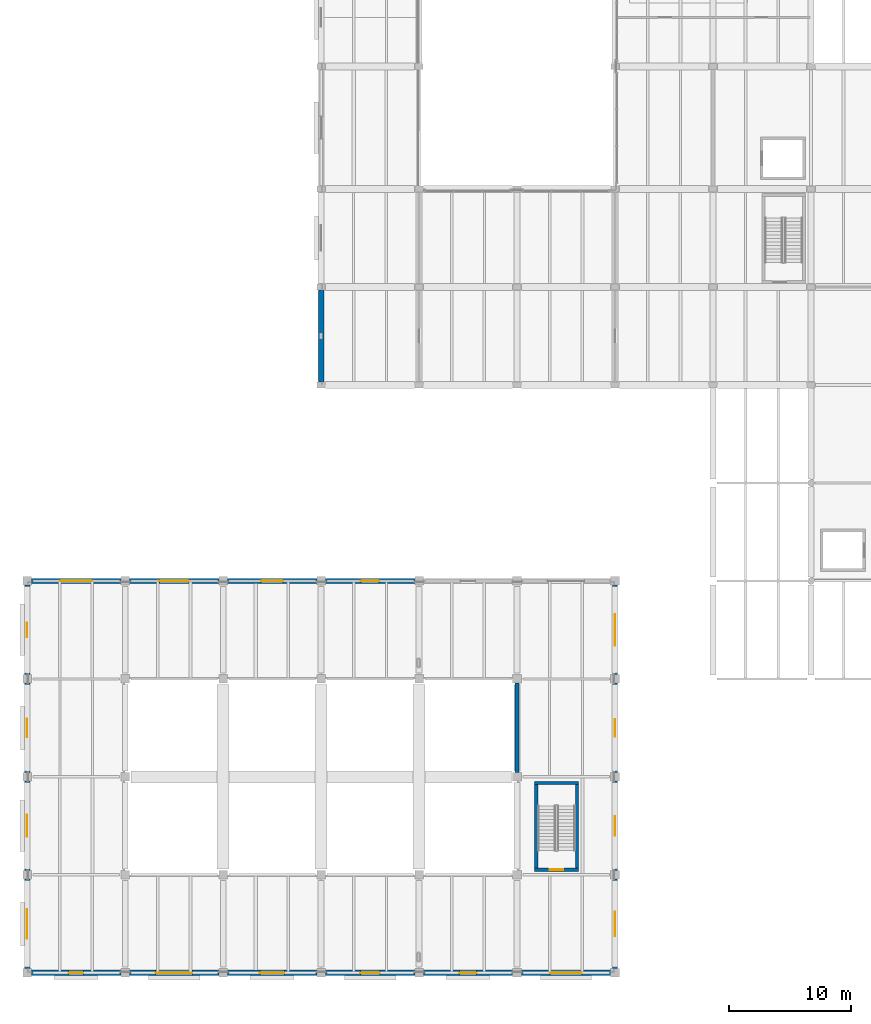
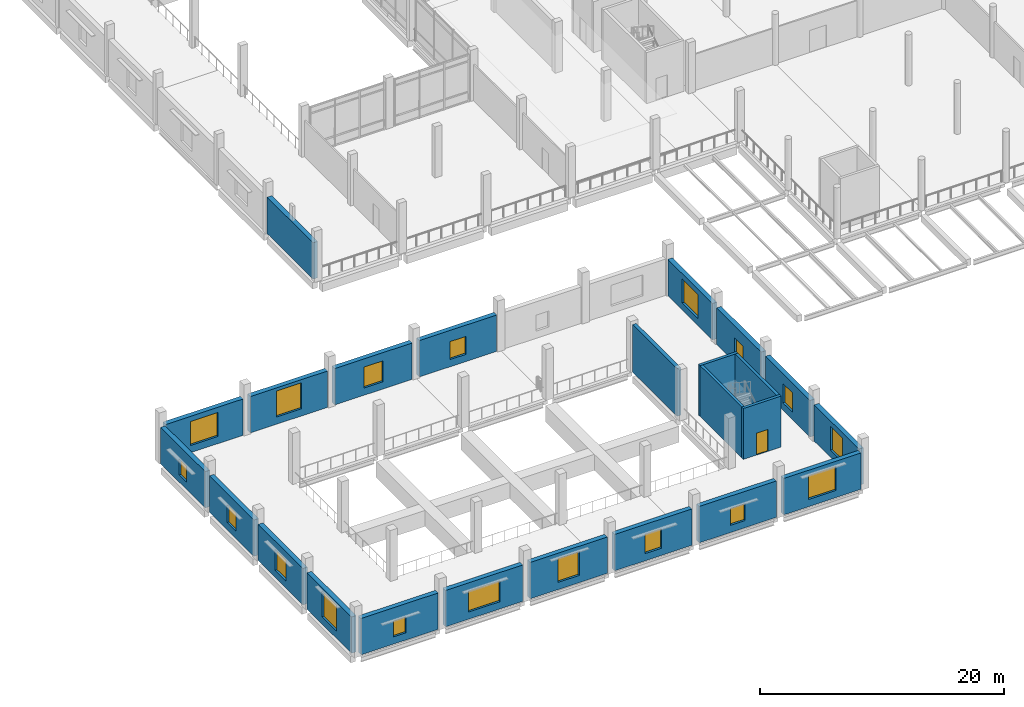
# One storey, part 32 of 61: 24 walls, 18 windows, 1 door, 19 openings.
"""IFC4 building model written with IfcOpenShell, lengths in metres."""

from ifc_helpers import new_model, si_unit, direction, frame, frame_2d, origin, place, context, subcontext, project, spatial, rectangle, extrude, material, layer, layer_set, type_object, element, fill, save


model = new_model("IFC4")

# Units and contexts
model_context = context("Model", 3, precision=1e-05, world=origin(), true_north=direction((0.0, 1.0)))
body_context = subcontext(model_context, "Body", "Model", "MODEL_VIEW")
ifc_project = project(units=[si_unit("LENGTHUNIT", "METRE"), si_unit("AREAUNIT", "SQUARE_METRE"), si_unit("VOLUMEUNIT", "CUBIC_METRE"), si_unit("PLANEANGLEUNIT", "RADIAN"), si_unit("MASSUNIT", "GRAM", prefix="KILO")], contexts=[model_context])

# Site, building, storey
site_placement = place(None, origin())
site = spatial("IfcSite", under=ifc_project, at=site_placement, CompositionType="ELEMENT")
building_placement = place(site_placement, origin())
building = spatial("IfcBuilding", under=site, at=building_placement, Name="Pecanmere Concourse Central Library", CompositionType="ELEMENT")
storey_placement = place(building_placement, frame((0.0, 0.0, 5.39990234375)))
storey = spatial("IfcBuildingStorey", under=building, at=storey_placement, Name="L02", CompositionType="ELEMENT", Elevation=5.39990234375)

# Wall, opening, window
ifc_material_1 = material(Name="Texas cream limestone ashlar masonry", Category="masonry")
ifc_layer_1 = layer(ifc_material_1, 0.43994140625, Name="EW_LIME_440")
ifc_layer_set_1 = layer_set([ifc_layer_1], Name="Texas cream limestone ashlar masonry")
wall_type_1 = type_object("IfcWallType", Name="EW_LIME_440", PredefinedType="STANDARD", material=ifc_layer_set_1)
wall_1_placement = place(storey_placement, frame((0.344970703125, 0.0, 0.0), z_axis=(0.0, 0.0, 1.0), x_axis=(1.0, 0.0, 0.0)))
wall_1 = element("IfcWall", 1, at=wall_1_placement, inside=storey, type_object=wall_type_1, Name="Limestone Facade Wall L02-0050", PredefinedType="STANDARD", context=body_context, shape_type="SweptSolid", body=[
    extrude(rectangle(XDim=7.31005859375, YDim=0.43994140625, at=frame_2d((3.655029296875, 0.0))), origin(), (0.0, 0.0, 1.0), 3.64013671875),
])
opening_1_placement = place(wall_1_placement, frame((3.054931640625, 0.0, 0.719970703125)))
opening_1 = element("IfcOpeningElement", 2, at=opening_1_placement, cuts=wall_1, Name="Opening WN-13", PredefinedType="OPENING", context=body_context, shape_type="SweptSolid", body=[
    extrude(rectangle(XDim=1.199951171875, YDim=1.60009765625, at=frame_2d((0.60009765625, 0.800048828125))), frame((0.0, 0.23193359375, 0.0), z_axis=(0.0, -1.0, 0.0), x_axis=(1.0, 0.0, 0.0)), (0.0, 0.0, 1.0), 0.4638671875),
])
ifc_material_2 = material(Name="Low-iron clear insulated glazing", Category="glass")
window_type_1 = type_object("IfcWindowType", Name="WIN_1200x1600", PartitioningType="SINGLE_PANEL", PredefinedType="WINDOW", material=ifc_material_2)
window_1_placement = place(opening_1_placement, origin())
window_1 = element("IfcWindow", 3, at=window_1_placement, inside=storey, type_object=window_type_1, Name="WN-035", OverallHeight=1.60009765625, OverallWidth=1.199951171875, PartitioningType="SINGLE_PANEL", PredefinedType="WINDOW", context=body_context, shape_type="SweptSolid", body=[
    extrude(rectangle(XDim=1.199951171875, YDim=1.60009765625, at=frame_2d((0.60009765625, 0.800048828125))), frame((0.0, 0.030029296875, 0.0), z_axis=(0.0, -1.0, 0.0), x_axis=(1.0, 0.0, 0.0)), (0.0, 0.0, 1.0), 0.06005859375),
])
fill(opening_1, window_1)

wall_2_placement = place(storey_placement, frame((7.655029296875, 32.0, 0.0), z_axis=(0.0, 0.0, 1.0), x_axis=(-1.0, 0.0, 0.0)))
wall_2 = element("IfcWall", 4, at=wall_2_placement, inside=storey, type_object=wall_type_1, Name="Limestone Facade Wall L02-0051", PredefinedType="STANDARD", context=body_context, shape_type="SweptSolid", body=[
    extrude(rectangle(XDim=7.31005859375, YDim=0.43994140625, at=frame_2d((3.655029296875, 0.0))), origin(), (0.0, 0.0, 1.0), 3.64013671875),
])
opening_2_placement = place(wall_2_placement, frame((2.35498046875, 0.0, 0.719970703125)))
opening_2 = element("IfcOpeningElement", 5, at=opening_2_placement, cuts=wall_2, Name="Opening WN-15", PredefinedType="OPENING", context=body_context, shape_type="SweptSolid", body=[
    extrude(rectangle(XDim=2.60009765625, YDim=2.39990234375, at=frame_2d((1.300048828125, 1.199951171875))), frame((0.0, 0.23193359375, 0.0), z_axis=(0.0, -1.0, 0.0), x_axis=(1.0, 0.0, 0.0)), (0.0, 0.0, 1.0), 0.4638671875),
])
ifc_material_3 = material(Name="Low-iron clear insulated glazing", Category="glass")
window_type_2 = type_object("IfcWindowType", Name="WIN_2600x2400", PartitioningType="SINGLE_PANEL", PredefinedType="WINDOW", material=ifc_material_3)
window_2_placement = place(opening_2_placement, origin())
window_2 = element("IfcWindow", 6, at=window_2_placement, inside=storey, type_object=window_type_2, Name="WN-036", OverallHeight=2.39990234375, OverallWidth=2.60009765625, PartitioningType="SINGLE_PANEL", PredefinedType="WINDOW", context=body_context, shape_type="SweptSolid", body=[
    extrude(rectangle(XDim=2.60009765625, YDim=2.39990234375, at=frame_2d((1.300048828125, 1.199951171875))), frame((0.0, 0.030029296875, 0.0), z_axis=(0.0, -1.0, 0.0), x_axis=(1.0, 0.0, 0.0)), (0.0, 0.0, 1.0), 0.06005859375),
])
fill(opening_2, window_2)

wall_3_placement = place(storey_placement, frame((8.344970703125, 0.0, 0.0), z_axis=(0.0, 0.0, 1.0), x_axis=(1.0, 0.0, 0.0)))
wall_3 = element("IfcWall", 7, at=wall_3_placement, inside=storey, type_object=wall_type_1, Name="Limestone Facade Wall L02-0052", PredefinedType="STANDARD", context=body_context, shape_type="SweptSolid", body=[
    extrude(rectangle(XDim=7.31005859375, YDim=0.43994140625, at=frame_2d((3.655029296875, 0.0))), origin(), (0.0, 0.0, 1.0), 3.64013671875),
])
opening_3_placement = place(wall_3_placement, frame((2.155029296875, 0.0, 0.719970703125)))
opening_3 = element("IfcOpeningElement", 8, at=opening_3_placement, cuts=wall_3, Name="Opening WN-17", PredefinedType="OPENING", context=body_context, shape_type="SweptSolid", body=[
    extrude(rectangle(XDim=3.0, YDim=2.10009765625, at=frame_2d((1.5, 1.050048828125))), frame((0.0, 0.23193359375, 0.0), z_axis=(0.0, -1.0, 0.0), x_axis=(1.0, 0.0, 0.0)), (0.0, 0.0, 1.0), 0.4638671875),
])
ifc_material_4 = material(Name="Low-iron clear insulated glazing", Category="glass")
window_type_3 = type_object("IfcWindowType", Name="WIN_3000x2100", PartitioningType="SINGLE_PANEL", PredefinedType="WINDOW", material=ifc_material_4)
window_3_placement = place(opening_3_placement, origin())
window_3 = element("IfcWindow", 9, at=window_3_placement, inside=storey, type_object=window_type_3, Name="WN-037", OverallHeight=2.10009765625, OverallWidth=3.0, PartitioningType="SINGLE_PANEL", PredefinedType="WINDOW", context=body_context, shape_type="SweptSolid", body=[
    extrude(rectangle(XDim=3.0, YDim=2.10009765625, at=frame_2d((1.5, 1.050048828125))), frame((0.0, 0.030029296875, 0.0), z_axis=(0.0, -1.0, 0.0), x_axis=(1.0, 0.0, 0.0)), (0.0, 0.0, 1.0), 0.06005859375),
])
fill(opening_3, window_3)

wall_4_placement = place(storey_placement, frame((15.655029296875, 32.0, 0.0), z_axis=(0.0, 0.0, 1.0), x_axis=(-1.0, 0.0, 0.0)))
wall_4 = element("IfcWall", 10, at=wall_4_placement, inside=storey, type_object=wall_type_1, Name="Limestone Facade Wall L02-0053", PredefinedType="STANDARD", context=body_context, shape_type="SweptSolid", body=[
    extrude(rectangle(XDim=7.31005859375, YDim=0.43994140625, at=frame_2d((3.655029296875, 0.0))), origin(), (0.0, 0.0, 1.0), 3.64013671875),
])
opening_4_placement = place(wall_4_placement, frame((2.455078125, 0.0, 0.719970703125)))
opening_4 = element("IfcOpeningElement", 11, at=opening_4_placement, cuts=wall_4, Name="Opening WN-01", PredefinedType="OPENING", context=body_context, shape_type="SweptSolid", body=[
    extrude(rectangle(XDim=2.39990234375, YDim=2.60009765625, at=frame_2d((1.199951171875, 1.300048828125))), frame((0.0, 0.23193359375, 0.0), z_axis=(0.0, -1.0, 0.0), x_axis=(1.0, 0.0, 0.0)), (0.0, 0.0, 1.0), 0.4638671875),
])
ifc_material_5 = material(Name="Low-iron clear insulated glazing", Category="glass")
window_type_4 = type_object("IfcWindowType", Name="WIN_2400x2600", PartitioningType="SINGLE_PANEL", PredefinedType="WINDOW", material=ifc_material_5)
window_4_placement = place(opening_4_placement, origin())
window_4 = element("IfcWindow", 12, at=window_4_placement, inside=storey, type_object=window_type_4, Name="WN-038", OverallHeight=2.60009765625, OverallWidth=2.39990234375, PartitioningType="SINGLE_PANEL", PredefinedType="WINDOW", context=body_context, shape_type="SweptSolid", body=[
    extrude(rectangle(XDim=2.39990234375, YDim=2.60009765625, at=frame_2d((1.199951171875, 1.300048828125))), frame((0.0, 0.030029296875, 0.0), z_axis=(0.0, -1.0, 0.0), x_axis=(1.0, 0.0, 0.0)), (0.0, 0.0, 1.0), 0.06005859375),
])
fill(opening_4, window_4)

wall_5_placement = place(storey_placement, frame((16.344970703125, 0.0, 0.0), z_axis=(0.0, 0.0, 1.0), x_axis=(1.0, 0.0, 0.0)))
wall_5 = element("IfcWall", 13, at=wall_5_placement, inside=storey, type_object=wall_type_1, Name="Limestone Facade Wall L02-0054", PredefinedType="STANDARD", context=body_context, shape_type="SweptSolid", body=[
    extrude(rectangle(XDim=7.31005859375, YDim=0.43994140625, at=frame_2d((3.655029296875, 0.0))), origin(), (0.0, 0.0, 1.0), 3.64013671875),
])
opening_5_placement = place(wall_5_placement, frame((2.655029296875, 0.0, 0.719970703125)))
opening_5 = element("IfcOpeningElement", 14, at=opening_5_placement, cuts=wall_5, Name="Opening WN-03", PredefinedType="OPENING", context=body_context, shape_type="SweptSolid", body=[
    extrude(rectangle(XDim=2.0, YDim=2.39990234375, at=frame_2d((1.0, 1.199951171875))), frame((0.0, 0.23193359375, 0.0), z_axis=(0.0, -1.0, 0.0), x_axis=(1.0, 0.0, 0.0)), (0.0, 0.0, 1.0), 0.4638671875),
])
ifc_material_6 = material(Name="Low-iron clear insulated glazing", Category="glass")
window_type_5 = type_object("IfcWindowType", Name="WIN_2000x2400", PartitioningType="SINGLE_PANEL", PredefinedType="WINDOW", material=ifc_material_6)
window_5_placement = place(opening_5_placement, origin())
window_5 = element("IfcWindow", 15, at=window_5_placement, inside=storey, type_object=window_type_5, Name="WN-039", OverallHeight=2.39990234375, OverallWidth=2.0, PartitioningType="SINGLE_PANEL", PredefinedType="WINDOW", context=body_context, shape_type="SweptSolid", body=[
    extrude(rectangle(XDim=2.0, YDim=2.39990234375, at=frame_2d((1.0, 1.199951171875))), frame((0.0, 0.030029296875, 0.0), z_axis=(0.0, -1.0, 0.0), x_axis=(1.0, 0.0, 0.0)), (0.0, 0.0, 1.0), 0.06005859375),
])
fill(opening_5, window_5)

wall_6_placement = place(storey_placement, frame((23.655029296875, 32.0, 0.0), z_axis=(0.0, 0.0, 1.0), x_axis=(-1.0, 0.0, 0.0)))
wall_6 = element("IfcWall", 16, at=wall_6_placement, inside=storey, type_object=wall_type_1, Name="Limestone Facade Wall L02-0055", PredefinedType="STANDARD", context=body_context, shape_type="SweptSolid", body=[
    extrude(rectangle(XDim=7.31005859375, YDim=0.43994140625, at=frame_2d((3.655029296875, 0.0))), origin(), (0.0, 0.0, 1.0), 3.64013671875),
])
opening_6_placement = place(wall_6_placement, frame((2.7548828125, 0.0, 0.719970703125)))
opening_6 = element("IfcOpeningElement", 17, at=opening_6_placement, cuts=wall_6, Name="Opening WN-05", PredefinedType="OPENING", context=body_context, shape_type="SweptSolid", body=[
    extrude(rectangle(XDim=1.800048828125, YDim=2.10009765625, at=frame_2d((0.89990234375, 1.050048828125))), frame((0.0, 0.23193359375, 0.0), z_axis=(0.0, -1.0, 0.0), x_axis=(1.0, 0.0, 0.0)), (0.0, 0.0, 1.0), 0.4638671875),
])
ifc_material_7 = material(Name="Low-iron clear insulated glazing", Category="glass")
window_type_6 = type_object("IfcWindowType", Name="WIN_1800x2100", PartitioningType="SINGLE_PANEL", PredefinedType="WINDOW", material=ifc_material_7)
window_6_placement = place(opening_6_placement, origin())
window_6 = element("IfcWindow", 18, at=window_6_placement, inside=storey, type_object=window_type_6, Name="WN-040", OverallHeight=2.10009765625, OverallWidth=1.800048828125, PartitioningType="SINGLE_PANEL", PredefinedType="WINDOW", context=body_context, shape_type="SweptSolid", body=[
    extrude(rectangle(XDim=1.800048828125, YDim=2.10009765625, at=frame_2d((0.89990234375, 1.050048828125))), frame((0.0, 0.030029296875, 0.0), z_axis=(0.0, -1.0, 0.0), x_axis=(1.0, 0.0, 0.0)), (0.0, 0.0, 1.0), 0.06005859375),
])
fill(opening_6, window_6)

wall_7_placement = place(storey_placement, frame((24.344970703125, 0.0, 0.0), z_axis=(0.0, 0.0, 1.0), x_axis=(1.0, 0.0, 0.0)))
wall_7 = element("IfcWall", 19, at=wall_7_placement, inside=storey, type_object=wall_type_1, Name="Limestone Facade Wall L02-0056", PredefinedType="STANDARD", context=body_context, shape_type="SweptSolid", body=[
    extrude(rectangle(XDim=7.31005859375, YDim=0.43994140625, at=frame_2d((3.655029296875, 0.0))), origin(), (0.0, 0.0, 1.0), 3.64013671875),
])
opening_7_placement = place(wall_7_placement, frame((2.85498046875, 0.0, 0.719970703125)))
opening_7 = element("IfcOpeningElement", 20, at=opening_7_placement, cuts=wall_7, Name="Opening WN-07", PredefinedType="OPENING", context=body_context, shape_type="SweptSolid", body=[
    extrude(rectangle(XDim=1.60009765625, YDim=1.949951171875, at=frame_2d((0.800048828125, 0.97509765625))), frame((0.0, 0.23193359375, 0.0), z_axis=(0.0, -1.0, 0.0), x_axis=(1.0, 0.0, 0.0)), (0.0, 0.0, 1.0), 0.4638671875),
])
ifc_material_8 = material(Name="Low-iron clear insulated glazing", Category="glass")
window_type_7 = type_object("IfcWindowType", Name="WIN_1600x1950", PartitioningType="SINGLE_PANEL", PredefinedType="WINDOW", material=ifc_material_8)
window_7_placement = place(opening_7_placement, origin())
window_7 = element("IfcWindow", 21, at=window_7_placement, inside=storey, type_object=window_type_7, Name="WN-041", OverallHeight=1.949951171875, OverallWidth=1.60009765625, PartitioningType="SINGLE_PANEL", PredefinedType="WINDOW", context=body_context, shape_type="SweptSolid", body=[
    extrude(rectangle(XDim=1.60009765625, YDim=1.949951171875, at=frame_2d((0.800048828125, 0.97509765625))), frame((0.0, 0.030029296875, 0.0), z_axis=(0.0, -1.0, 0.0), x_axis=(1.0, 0.0, 0.0)), (0.0, 0.0, 1.0), 0.06005859375),
])
fill(opening_7, window_7)

wall_8_placement = place(storey_placement, frame((31.655029296875, 32.0, 0.0), z_axis=(0.0, 0.0, 1.0), x_axis=(-1.0, 0.0, 0.0)))
wall_8 = element("IfcWall", 22, at=wall_8_placement, inside=storey, type_object=wall_type_1, Name="Limestone Facade Wall L02-0057", PredefinedType="STANDARD", context=body_context, shape_type="SweptSolid", body=[
    extrude(rectangle(XDim=7.31005859375, YDim=0.43994140625, at=frame_2d((3.655029296875, 0.0))), origin(), (0.0, 0.0, 1.0), 3.64013671875),
])
opening_8_placement = place(wall_8_placement, frame((2.905029296875, 0.0, 0.719970703125)))
opening_8 = element("IfcOpeningElement", 23, at=opening_8_placement, cuts=wall_8, Name="Opening WN-09", PredefinedType="OPENING", context=body_context, shape_type="SweptSolid", body=[
    extrude(rectangle(XDim=1.5, YDim=1.800048828125, at=frame_2d((0.75, 0.89990234375))), frame((0.0, 0.23193359375, 0.0), z_axis=(0.0, -1.0, 0.0), x_axis=(1.0, 0.0, 0.0)), (0.0, 0.0, 1.0), 0.4638671875),
])
ifc_material_9 = material(Name="Low-iron clear insulated glazing", Category="glass")
window_type_8 = type_object("IfcWindowType", Name="WIN_1500x1800", PartitioningType="SINGLE_PANEL", PredefinedType="WINDOW", material=ifc_material_9)
window_8_placement = place(opening_8_placement, origin())
window_8 = element("IfcWindow", 24, at=window_8_placement, inside=storey, type_object=window_type_8, Name="WN-042", OverallHeight=1.800048828125, OverallWidth=1.5, PartitioningType="SINGLE_PANEL", PredefinedType="WINDOW", context=body_context, shape_type="SweptSolid", body=[
    extrude(rectangle(XDim=1.5, YDim=1.800048828125, at=frame_2d((0.75, 0.89990234375))), frame((0.0, 0.030029296875, 0.0), z_axis=(0.0, -1.0, 0.0), x_axis=(1.0, 0.0, 0.0)), (0.0, 0.0, 1.0), 0.06005859375),
])
fill(opening_8, window_8)

wall_9_placement = place(storey_placement, frame((32.344970703125, 0.0, 0.0), z_axis=(0.0, 0.0, 1.0), x_axis=(1.0, 0.0, 0.0)))
wall_9 = element("IfcWall", 25, at=wall_9_placement, inside=storey, type_object=wall_type_1, Name="Limestone Facade Wall L02-0058", PredefinedType="STANDARD", context=body_context, shape_type="SweptSolid", body=[
    extrude(rectangle(XDim=7.31005859375, YDim=0.43994140625, at=frame_2d((3.655029296875, 0.0))), origin(), (0.0, 0.0, 1.0), 3.64013671875),
])
opening_9_placement = place(wall_9_placement, frame((2.955078125, 0.0, 0.719970703125)))
opening_9 = element("IfcOpeningElement", 26, at=opening_9_placement, cuts=wall_9, Name="Opening WN-11", PredefinedType="OPENING", context=body_context, shape_type="SweptSolid", body=[
    extrude(rectangle(XDim=1.39990234375, YDim=1.699951171875, at=frame_2d((0.699951171875, 0.85009765625))), frame((0.0, 0.23193359375, 0.0), z_axis=(0.0, -1.0, 0.0), x_axis=(1.0, 0.0, 0.0)), (0.0, 0.0, 1.0), 0.4638671875),
])
ifc_material_10 = material(Name="Low-iron clear insulated glazing", Category="glass")
window_type_9 = type_object("IfcWindowType", Name="WIN_1400x1700", PartitioningType="SINGLE_PANEL", PredefinedType="WINDOW", material=ifc_material_10)
window_9_placement = place(opening_9_placement, origin())
window_9 = element("IfcWindow", 27, at=window_9_placement, inside=storey, type_object=window_type_9, Name="WN-043", OverallHeight=1.699951171875, OverallWidth=1.39990234375, PartitioningType="SINGLE_PANEL", PredefinedType="WINDOW", context=body_context, shape_type="SweptSolid", body=[
    extrude(rectangle(XDim=1.39990234375, YDim=1.699951171875, at=frame_2d((0.699951171875, 0.85009765625))), frame((0.0, 0.030029296875, 0.0), z_axis=(0.0, -1.0, 0.0), x_axis=(1.0, 0.0, 0.0)), (0.0, 0.0, 1.0), 0.06005859375),
])
fill(opening_9, window_9)

wall_10_placement = place(storey_placement, frame((40.344970703125, 0.0, 0.0), z_axis=(0.0, 0.0, 1.0), x_axis=(1.0, 0.0, 0.0)))
wall_10 = element("IfcWall", 28, at=wall_10_placement, inside=storey, type_object=wall_type_1, Name="Limestone Facade Wall L02-0060", PredefinedType="STANDARD", context=body_context, shape_type="SweptSolid", body=[
    extrude(rectangle(XDim=7.31005859375, YDim=0.43994140625, at=frame_2d((3.655029296875, 0.0))), origin(), (0.0, 0.0, 1.0), 3.64013671875),
])
opening_10_placement = place(wall_10_placement, frame((2.35498046875, 0.0, 0.719970703125)))
opening_10 = element("IfcOpeningElement", 29, at=opening_10_placement, cuts=wall_10, Name="Opening WN-15", PredefinedType="OPENING", context=body_context, shape_type="SweptSolid", body=[
    extrude(rectangle(XDim=2.60009765625, YDim=2.39990234375, at=frame_2d((1.300048828125, 1.199951171875))), frame((0.0, 0.23193359375, 0.0), z_axis=(0.0, -1.0, 0.0), x_axis=(1.0, 0.0, 0.0)), (0.0, 0.0, 1.0), 0.4638671875),
])
window_10_placement = place(opening_10_placement, origin())
window_10 = element("IfcWindow", 30, at=window_10_placement, inside=storey, type_object=window_type_2, Name="WN-045", OverallHeight=2.39990234375, OverallWidth=2.60009765625, PartitioningType="SINGLE_PANEL", PredefinedType="WINDOW", context=body_context, shape_type="SweptSolid", body=[
    extrude(rectangle(XDim=2.60009765625, YDim=2.39990234375, at=frame_2d((1.300048828125, 1.199951171875))), frame((0.0, 0.030029296875, 0.0), z_axis=(0.0, -1.0, 0.0), x_axis=(1.0, 0.0, 0.0)), (0.0, 0.0, 1.0), 0.06005859375),
])
fill(opening_10, window_10)

wall_11_placement = place(storey_placement, frame((0.0, 7.655029296875, 0.0), z_axis=(0.0, 0.0, 1.0), x_axis=(0.0, -1.0, 0.0)))
wall_11 = element("IfcWall", 31, at=wall_11_placement, inside=storey, type_object=wall_type_1, Name="Limestone Facade Wall L02-0062", PredefinedType="STANDARD", context=body_context, shape_type="SweptSolid", body=[
    extrude(rectangle(XDim=7.31005859375, YDim=0.43994140625, at=frame_2d((3.655029296875, 0.0))), origin(), (0.0, 0.0, 1.0), 3.64013671875),
])
opening_11_placement = place(wall_11_placement, frame((2.455078125, 0.0, 0.719970703125)))
opening_11 = element("IfcOpeningElement", 32, at=opening_11_placement, cuts=wall_11, Name="Opening WN-01", PredefinedType="OPENING", context=body_context, shape_type="SweptSolid", body=[
    extrude(rectangle(XDim=2.39990234375, YDim=2.60009765625, at=frame_2d((1.199951171875, 1.300048828125))), frame((0.0, 0.23193359375, 0.0), z_axis=(0.0, -1.0, 0.0), x_axis=(1.0, 0.0, 0.0)), (0.0, 0.0, 1.0), 0.4638671875),
])
window_11_placement = place(opening_11_placement, origin())
window_11 = element("IfcWindow", 33, at=window_11_placement, inside=storey, type_object=window_type_4, Name="WN-047", OverallHeight=2.60009765625, OverallWidth=2.39990234375, PartitioningType="SINGLE_PANEL", PredefinedType="WINDOW", context=body_context, shape_type="SweptSolid", body=[
    extrude(rectangle(XDim=2.39990234375, YDim=2.60009765625, at=frame_2d((1.199951171875, 1.300048828125))), frame((0.0, 0.030029296875, 0.0), z_axis=(0.0, -1.0, 0.0), x_axis=(1.0, 0.0, 0.0)), (0.0, 0.0, 1.0), 0.06005859375),
])
fill(opening_11, window_11)

wall_12_placement = place(storey_placement, frame((48.0, 0.344970703125, 0.0), z_axis=(0.0, 0.0, 1.0), x_axis=(0.0, 1.0, 0.0)))
wall_12 = element("IfcWall", 34, at=wall_12_placement, inside=storey, type_object=wall_type_1, Name="Limestone Facade Wall L02-0063", PredefinedType="STANDARD", context=body_context, shape_type="SweptSolid", body=[
    extrude(rectangle(XDim=7.31005859375, YDim=0.43994140625, at=frame_2d((3.655029296875, 0.0))), origin(), (0.0, 0.0, 1.0), 3.64013671875),
])
opening_12_placement = place(wall_12_placement, frame((2.655029296875, 0.0, 0.719970703125)))
opening_12 = element("IfcOpeningElement", 35, at=opening_12_placement, cuts=wall_12, Name="Opening WN-03", PredefinedType="OPENING", context=body_context, shape_type="SweptSolid", body=[
    extrude(rectangle(XDim=2.0, YDim=2.39990234375, at=frame_2d((1.0, 1.199951171875))), frame((0.0, 0.23193359375, 0.0), z_axis=(0.0, -1.0, 0.0), x_axis=(1.0, 0.0, 0.0)), (0.0, 0.0, 1.0), 0.4638671875),
])
window_12_placement = place(opening_12_placement, origin())
window_12 = element("IfcWindow", 36, at=window_12_placement, inside=storey, type_object=window_type_5, Name="WN-048", OverallHeight=2.39990234375, OverallWidth=2.0, PartitioningType="SINGLE_PANEL", PredefinedType="WINDOW", context=body_context, shape_type="SweptSolid", body=[
    extrude(rectangle(XDim=2.0, YDim=2.39990234375, at=frame_2d((1.0, 1.199951171875))), frame((0.0, 0.030029296875, 0.0), z_axis=(0.0, -1.0, 0.0), x_axis=(1.0, 0.0, 0.0)), (0.0, 0.0, 1.0), 0.06005859375),
])
fill(opening_12, window_12)

wall_13_placement = place(storey_placement, frame((0.0, 15.655029296875, 0.0), z_axis=(0.0, 0.0, 1.0), x_axis=(0.0, -1.0, 0.0)))
wall_13 = element("IfcWall", 37, at=wall_13_placement, inside=storey, type_object=wall_type_1, Name="Limestone Facade Wall L02-0064", PredefinedType="STANDARD", context=body_context, shape_type="SweptSolid", body=[
    extrude(rectangle(XDim=7.31005859375, YDim=0.43994140625, at=frame_2d((3.655029296875, 0.0))), origin(), (0.0, 0.0, 1.0), 3.64013671875),
])
opening_13_placement = place(wall_13_placement, frame((2.7548828125, 0.0, 0.719970703125)))
opening_13 = element("IfcOpeningElement", 38, at=opening_13_placement, cuts=wall_13, Name="Opening WN-05", PredefinedType="OPENING", context=body_context, shape_type="SweptSolid", body=[
    extrude(rectangle(XDim=1.800048828125, YDim=2.10009765625, at=frame_2d((0.89990234375, 1.050048828125))), frame((0.0, 0.23193359375, 0.0), z_axis=(0.0, -1.0, 0.0), x_axis=(1.0, 0.0, 0.0)), (0.0, 0.0, 1.0), 0.4638671875),
])
window_13_placement = place(opening_13_placement, origin())
window_13 = element("IfcWindow", 39, at=window_13_placement, inside=storey, type_object=window_type_6, Name="WN-049", OverallHeight=2.10009765625, OverallWidth=1.800048828125, PartitioningType="SINGLE_PANEL", PredefinedType="WINDOW", context=body_context, shape_type="SweptSolid", body=[
    extrude(rectangle(XDim=1.800048828125, YDim=2.10009765625, at=frame_2d((0.89990234375, 1.050048828125))), frame((0.0, 0.030029296875, 0.0), z_axis=(0.0, -1.0, 0.0), x_axis=(1.0, 0.0, 0.0)), (0.0, 0.0, 1.0), 0.06005859375),
])
fill(opening_13, window_13)

wall_14_placement = place(storey_placement, frame((48.0, 8.344970703125, 0.0), z_axis=(0.0, 0.0, 1.0), x_axis=(0.0, 1.0, 0.0)))
wall_14 = element("IfcWall", 40, at=wall_14_placement, inside=storey, type_object=wall_type_1, Name="Limestone Facade Wall L02-0065", PredefinedType="STANDARD", context=body_context, shape_type="SweptSolid", body=[
    extrude(rectangle(XDim=7.31005859375, YDim=0.43994140625, at=frame_2d((3.655029296875, 0.0))), origin(), (0.0, 0.0, 1.0), 3.64013671875),
])
opening_14_placement = place(wall_14_placement, frame((2.85498046875, 0.0, 0.719970703125)))
opening_14 = element("IfcOpeningElement", 41, at=opening_14_placement, cuts=wall_14, Name="Opening WN-07", PredefinedType="OPENING", context=body_context, shape_type="SweptSolid", body=[
    extrude(rectangle(XDim=1.60009765625, YDim=1.949951171875, at=frame_2d((0.800048828125, 0.97509765625))), frame((0.0, 0.23193359375, 0.0), z_axis=(0.0, -1.0, 0.0), x_axis=(1.0, 0.0, 0.0)), (0.0, 0.0, 1.0), 0.4638671875),
])
window_14_placement = place(opening_14_placement, origin())
window_14 = element("IfcWindow", 42, at=window_14_placement, inside=storey, type_object=window_type_7, Name="WN-050", OverallHeight=1.949951171875, OverallWidth=1.60009765625, PartitioningType="SINGLE_PANEL", PredefinedType="WINDOW", context=body_context, shape_type="SweptSolid", body=[
    extrude(rectangle(XDim=1.60009765625, YDim=1.949951171875, at=frame_2d((0.800048828125, 0.97509765625))), frame((0.0, 0.030029296875, 0.0), z_axis=(0.0, -1.0, 0.0), x_axis=(1.0, 0.0, 0.0)), (0.0, 0.0, 1.0), 0.06005859375),
])
fill(opening_14, window_14)

wall_15_placement = place(storey_placement, frame((0.0, 23.655029296875, 0.0), z_axis=(0.0, 0.0, 1.0), x_axis=(0.0, -1.0, 0.0)))
wall_15 = element("IfcWall", 43, at=wall_15_placement, inside=storey, type_object=wall_type_1, Name="Limestone Facade Wall L02-0066", PredefinedType="STANDARD", context=body_context, shape_type="SweptSolid", body=[
    extrude(rectangle(XDim=7.31005859375, YDim=0.43994140625, at=frame_2d((3.655029296875, 0.0))), origin(), (0.0, 0.0, 1.0), 3.64013671875),
])
opening_15_placement = place(wall_15_placement, frame((2.905029296875, 0.0, 0.719970703125)))
opening_15 = element("IfcOpeningElement", 44, at=opening_15_placement, cuts=wall_15, Name="Opening WN-09", PredefinedType="OPENING", context=body_context, shape_type="SweptSolid", body=[
    extrude(rectangle(XDim=1.5, YDim=1.800048828125, at=frame_2d((0.75, 0.89990234375))), frame((0.0, 0.23193359375, 0.0), z_axis=(0.0, -1.0, 0.0), x_axis=(1.0, 0.0, 0.0)), (0.0, 0.0, 1.0), 0.4638671875),
])
window_15_placement = place(opening_15_placement, origin())
window_15 = element("IfcWindow", 45, at=window_15_placement, inside=storey, type_object=window_type_8, Name="WN-051", OverallHeight=1.800048828125, OverallWidth=1.5, PartitioningType="SINGLE_PANEL", PredefinedType="WINDOW", context=body_context, shape_type="SweptSolid", body=[
    extrude(rectangle(XDim=1.5, YDim=1.800048828125, at=frame_2d((0.75, 0.89990234375))), frame((0.0, 0.030029296875, 0.0), z_axis=(0.0, -1.0, 0.0), x_axis=(1.0, 0.0, 0.0)), (0.0, 0.0, 1.0), 0.06005859375),
])
fill(opening_15, window_15)

wall_16_placement = place(storey_placement, frame((48.0, 16.344970703125, 0.0), z_axis=(0.0, 0.0, 1.0), x_axis=(0.0, 1.0, 0.0)))
wall_16 = element("IfcWall", 46, at=wall_16_placement, inside=storey, type_object=wall_type_1, Name="Limestone Facade Wall L02-0067", PredefinedType="STANDARD", context=body_context, shape_type="SweptSolid", body=[
    extrude(rectangle(XDim=7.31005859375, YDim=0.43994140625, at=frame_2d((3.655029296875, 0.0))), origin(), (0.0, 0.0, 1.0), 3.64013671875),
])
opening_16_placement = place(wall_16_placement, frame((2.955078125, 0.0, 0.719970703125)))
opening_16 = element("IfcOpeningElement", 47, at=opening_16_placement, cuts=wall_16, Name="Opening WN-11", PredefinedType="OPENING", context=body_context, shape_type="SweptSolid", body=[
    extrude(rectangle(XDim=1.39990234375, YDim=1.699951171875, at=frame_2d((0.699951171875, 0.85009765625))), frame((0.0, 0.23193359375, 0.0), z_axis=(0.0, -1.0, 0.0), x_axis=(1.0, 0.0, 0.0)), (0.0, 0.0, 1.0), 0.4638671875),
])
window_16_placement = place(opening_16_placement, origin())
window_16 = element("IfcWindow", 48, at=window_16_placement, inside=storey, type_object=window_type_9, Name="WN-052", OverallHeight=1.699951171875, OverallWidth=1.39990234375, PartitioningType="SINGLE_PANEL", PredefinedType="WINDOW", context=body_context, shape_type="SweptSolid", body=[
    extrude(rectangle(XDim=1.39990234375, YDim=1.699951171875, at=frame_2d((0.699951171875, 0.85009765625))), frame((0.0, 0.030029296875, 0.0), z_axis=(0.0, -1.0, 0.0), x_axis=(1.0, 0.0, 0.0)), (0.0, 0.0, 1.0), 0.06005859375),
])
fill(opening_16, window_16)

wall_17_placement = place(storey_placement, frame((0.0, 31.655029296875, 0.0), z_axis=(0.0, 0.0, 1.0), x_axis=(0.0, -1.0, 0.0)))
wall_17 = element("IfcWall", 49, at=wall_17_placement, inside=storey, type_object=wall_type_1, Name="Limestone Facade Wall L02-0068", PredefinedType="STANDARD", context=body_context, shape_type="SweptSolid", body=[
    extrude(rectangle(XDim=7.31005859375, YDim=0.43994140625, at=frame_2d((3.655029296875, 0.0))), origin(), (0.0, 0.0, 1.0), 3.64013671875),
])
opening_17_placement = place(wall_17_placement, frame((3.054931640625, 0.0, 0.719970703125)))
opening_17 = element("IfcOpeningElement", 50, at=opening_17_placement, cuts=wall_17, Name="Opening WN-13", PredefinedType="OPENING", context=body_context, shape_type="SweptSolid", body=[
    extrude(rectangle(XDim=1.199951171875, YDim=1.60009765625, at=frame_2d((0.60009765625, 0.800048828125))), frame((0.0, 0.23193359375, 0.0), z_axis=(0.0, -1.0, 0.0), x_axis=(1.0, 0.0, 0.0)), (0.0, 0.0, 1.0), 0.4638671875),
])
window_17_placement = place(opening_17_placement, origin())
window_17 = element("IfcWindow", 51, at=window_17_placement, inside=storey, type_object=window_type_1, Name="WN-053", OverallHeight=1.60009765625, OverallWidth=1.199951171875, PartitioningType="SINGLE_PANEL", PredefinedType="WINDOW", context=body_context, shape_type="SweptSolid", body=[
    extrude(rectangle(XDim=1.199951171875, YDim=1.60009765625, at=frame_2d((0.60009765625, 0.800048828125))), frame((0.0, 0.030029296875, 0.0), z_axis=(0.0, -1.0, 0.0), x_axis=(1.0, 0.0, 0.0)), (0.0, 0.0, 1.0), 0.06005859375),
])
fill(opening_17, window_17)

wall_18_placement = place(storey_placement, frame((48.0, 24.344970703125, 0.0), z_axis=(0.0, 0.0, 1.0), x_axis=(0.0, 1.0, 0.0)))
wall_18 = element("IfcWall", 52, at=wall_18_placement, inside=storey, type_object=wall_type_1, Name="Limestone Facade Wall L02-0069", PredefinedType="STANDARD", context=body_context, shape_type="SweptSolid", body=[
    extrude(rectangle(XDim=7.31005859375, YDim=0.43994140625, at=frame_2d((3.655029296875, 0.0))), origin(), (0.0, 0.0, 1.0), 3.64013671875),
])
opening_18_placement = place(wall_18_placement, frame((2.35498046875, 0.0, 0.719970703125)))
opening_18 = element("IfcOpeningElement", 53, at=opening_18_placement, cuts=wall_18, Name="Opening WN-15", PredefinedType="OPENING", context=body_context, shape_type="SweptSolid", body=[
    extrude(rectangle(XDim=2.60009765625, YDim=2.39990234375, at=frame_2d((1.300048828125, 1.199951171875))), frame((0.0, 0.23193359375, 0.0), z_axis=(0.0, -1.0, 0.0), x_axis=(1.0, 0.0, 0.0)), (0.0, 0.0, 1.0), 0.4638671875),
])
window_18_placement = place(opening_18_placement, origin())
window_18 = element("IfcWindow", 54, at=window_18_placement, inside=storey, type_object=window_type_2, Name="WN-054", OverallHeight=2.39990234375, OverallWidth=2.60009765625, PartitioningType="SINGLE_PANEL", PredefinedType="WINDOW", context=body_context, shape_type="SweptSolid", body=[
    extrude(rectangle(XDim=2.60009765625, YDim=2.39990234375, at=frame_2d((1.300048828125, 1.199951171875))), frame((0.0, 0.030029296875, 0.0), z_axis=(0.0, -1.0, 0.0), x_axis=(1.0, 0.0, 0.0)), (0.0, 0.0, 1.0), 0.06005859375),
])
fill(opening_18, window_18)

# Walls
wall_19_placement = place(storey_placement, frame((24.0, 55.764892578125, 0.0), z_axis=(0.0, 0.0, 1.0), x_axis=(0.0, -1.0, 0.0)))
element("IfcWall", 55, at=wall_19_placement, inside=storey, type_object=wall_type_1, Name="Limestone Facade Wall L02-0144", PredefinedType="STANDARD", context=body_context, shape_type="SweptSolid", body=[
    extrude(rectangle(XDim=7.52978515625, YDim=0.43994140625, at=frame_2d((3.764892578125, 0.0))), origin(), (0.0, 0.0, 1.0), 3.64013671875),
])
ifc_material_11 = material(Name="Concrete C40/50", Category="concrete")
ifc_layer_2 = layer(ifc_material_11, 0.35009765625, Name="WALL_SHR_350")
ifc_layer_set_2 = layer_set([ifc_layer_2], Name="Concrete C40/50")
wall_type_2 = type_object("IfcWallType", Name="WALL_SHR_350", PredefinedType="SHEAR", material=ifc_layer_set_2)
wall_20_placement = place(storey_placement, frame((40.0, 16.35009765625, 0.0), z_axis=(0.0, 0.0, 1.0), x_axis=(0.0, 1.0, 0.0)))
element("IfcWall", 56, at=wall_20_placement, inside=storey, type_object=wall_type_2, Name="Lateral Shear Wall L02-033", PredefinedType="SHEAR", context=body_context, shape_type="SweptSolid", body=[
    extrude(rectangle(XDim=7.2998046875, YDim=0.35009765625, at=frame_2d((3.64990234375, 0.0))), origin(), (0.0, 0.0, 1.0), 4.760009765625),
])

# Wall, opening, door
ifc_material_12 = material(Name="Concrete C40/50", Category="concrete")
ifc_layer_3 = layer(ifc_material_12, 0.260009765625, Name="WALL_SLD_260")
ifc_layer_set_3 = layer_set([ifc_layer_3], Name="Concrete C40/50")
wall_type_3 = type_object("IfcWallType", Name="WALL_SLD_260", PredefinedType="SOLIDWALL", material=ifc_layer_set_3)
wall_21_placement = place(storey_placement, frame((41.43994140625, 8.419921875, 0.0), z_axis=(0.0, 0.0, 1.0), x_axis=(1.0, 0.0, 0.0)))
wall_21 = element("IfcWall", 57, at=wall_21_placement, inside=storey, type_object=wall_type_3, Name="Core C7 South Wall L02", PredefinedType="SOLIDWALL", context=body_context, shape_type="SweptSolid", body=[
    extrude(rectangle(XDim=3.580078125, YDim=0.260009765625, at=frame_2d((1.7900390625, 0.0))), origin(), (0.0, 0.0, 1.0), 5.10009765625),
])
opening_19_placement = place(wall_21_placement, frame((1.239990234375, 0.0, 0.0)))
opening_19 = element("IfcOpeningElement", 58, at=opening_19_placement, cuts=wall_21, Name="Opening FD-02", PredefinedType="OPENING", context=body_context, shape_type="SweptSolid", body=[
    extrude(rectangle(XDim=1.10009765625, YDim=2.199951171875, at=frame_2d((0.550048828125, 1.10009765625))), frame((0.0, 0.14208984375, 0.0), z_axis=(0.0, -1.0, 0.0), x_axis=(1.0, 0.0, 0.0)), (0.0, 0.0, 1.0), 0.283935546875),
])
ifc_material_13 = material(Name="Painted architectural steel ASTM A36", Category="steel")
door_type = type_object("IfcDoorType", Name="FD-02", OperationType="SINGLE_SWING_RIGHT", PredefinedType="DOOR", material=ifc_material_13)
door_placement = place(opening_19_placement, origin())
door = element("IfcDoor", 59, at=door_placement, inside=storey, type_object=door_type, Name="D-047", OperationType="SINGLE_SWING_RIGHT", OverallHeight=2.199951171875, OverallWidth=1.10009765625, PredefinedType="DOOR", context=body_context, shape_type="SweptSolid", body=[
    extrude(rectangle(XDim=1.10009765625, YDim=2.199951171875, at=frame_2d((0.550048828125, 1.10009765625))), frame((0.0, 0.02490234375, 0.0), z_axis=(0.0, -1.0, 0.0), x_axis=(1.0, 0.0, 0.0)), (0.0, 0.0, 1.0), 0.050048828125),
])
fill(opening_19, door)

# Walls
wall_22_placement = place(storey_placement, frame((41.43994140625, 15.5, 0.0), z_axis=(0.0, 0.0, 1.0), x_axis=(1.0, 0.0, 0.0)))
element("IfcWall", 60, at=wall_22_placement, inside=storey, type_object=wall_type_3, Name="Core C7 North Wall L02", PredefinedType="SOLIDWALL", context=body_context, shape_type="SweptSolid", body=[
    extrude(rectangle(XDim=3.580078125, YDim=0.260009765625, at=frame_2d((1.7900390625, 0.0))), origin(), (0.0, 0.0, 1.0), 5.10009765625),
])
for number, where, z_axis, x_axis, name in (
    (61, (41.570068359375, 8.550048828125, 0.0), (0.0, 0.0, 1.0), (0.0, 1.0, 0.0), "Core C7 W Wall L02"),
    (62, (44.889892578125, 8.550048828125, 0.0), (0.0, 0.0, 1.0), (0.0, 1.0, 0.0), "Core C7 E Wall L02"),
):
    element("IfcWall", number, at=place(storey_placement, frame(where, z_axis=z_axis, x_axis=x_axis)), inside=storey, type_object=wall_type_3, Name=name, PredefinedType="SOLIDWALL", context=body_context, shape_type="SweptSolid", body=[
        extrude(rectangle(XDim=6.820068359375, YDim=0.260009765625, at=frame_2d((3.41015625, 0.0))), origin(), (0.0, 0.0, 1.0), 5.10009765625),
    ])

save(model, "model.ifc")
